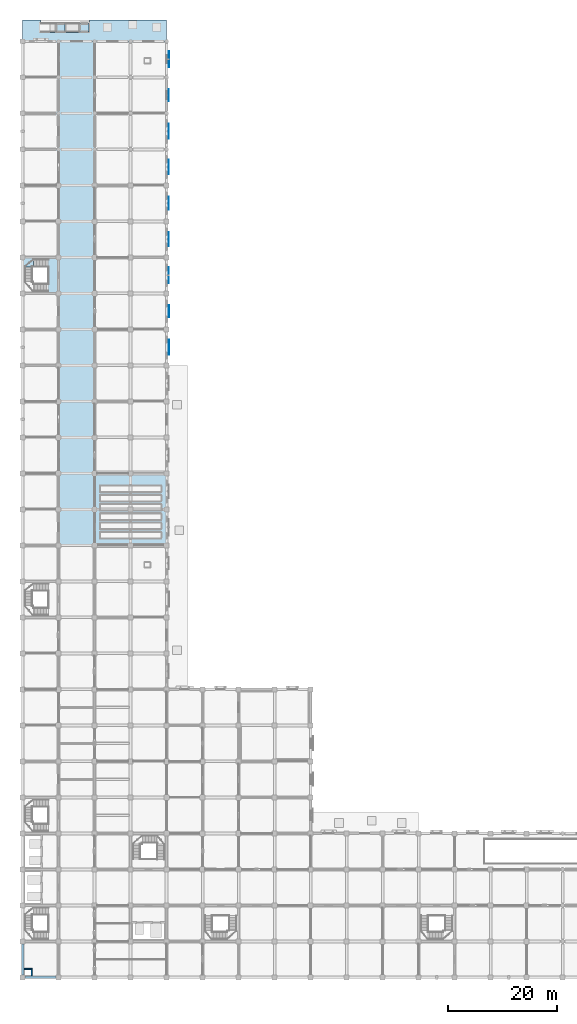
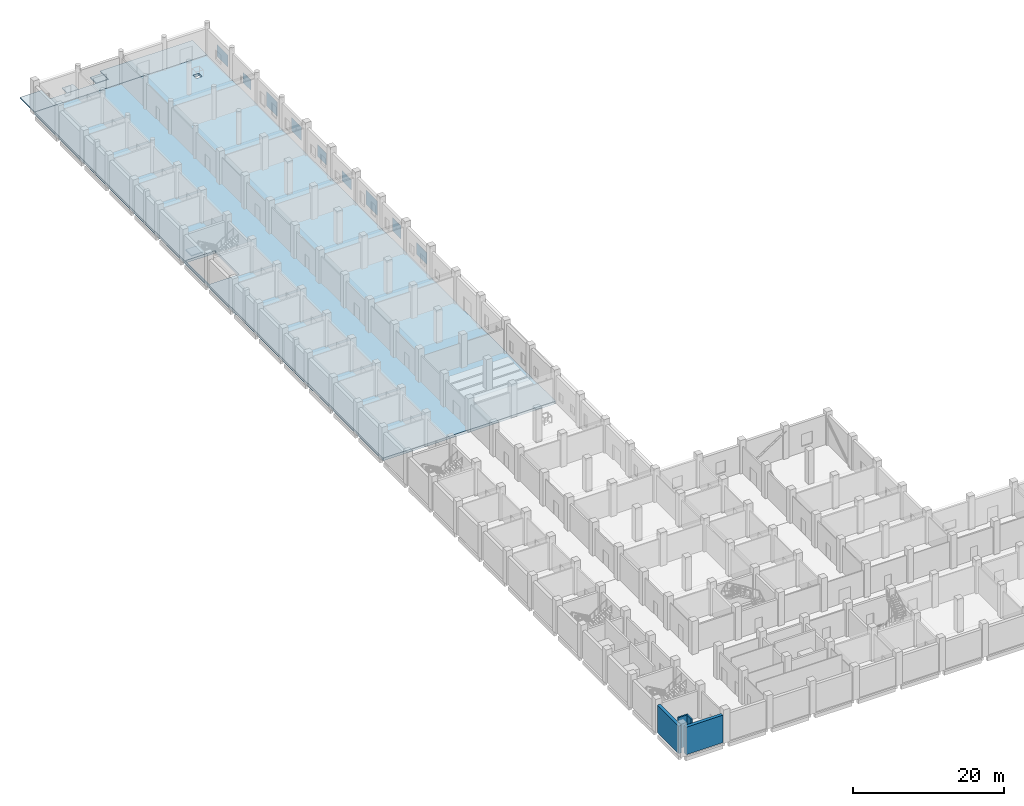
# One storey, part 7 of 28: 9 plates, 5 slabs, 4 walls, 2 elements without a shape of their own.
"""IFC4 building model written with IfcOpenShell, lengths in metres."""

from ifc_helpers import new_model, si_unit, direction, frame, frame_2d, origin, origin_2d, place, context, subcontext, project, spatial, polyline, rectangle, outline, extrude, material, layer, layer_set, type_object, element, aggregate, save


model = new_model("IFC4")

# Units and contexts
model_context = context("Model", 3, precision=1e-05, world=origin(), true_north=direction((0.0, 1.0)))
body_context = subcontext(model_context, "Body", "Model", "MODEL_VIEW")
ifc_project = project(units=[si_unit("LENGTHUNIT", "METRE"), si_unit("AREAUNIT", "SQUARE_METRE"), si_unit("VOLUMEUNIT", "CUBIC_METRE"), si_unit("PLANEANGLEUNIT", "RADIAN"), si_unit("MASSUNIT", "GRAM", prefix="KILO")], contexts=[model_context])

# Site, building, storey
site_placement = place(None, origin())
site = spatial("IfcSite", under=ifc_project, at=site_placement, CompositionType="ELEMENT")
building_placement = place(site_placement, origin())
building = spatial("IfcBuilding", under=site, at=building_placement, Name="Rusizi Kubbe Research Institute", CompositionType="ELEMENT")
storey_placement = place(building_placement, origin())
storey = spatial("IfcBuildingStorey", under=building, at=storey_placement, Name="L00", CompositionType="ELEMENT", Elevation=0.0)

# Plates
ifc_material_1 = material(Name="Perforated Architectural Bronze Screen", Category="steel")
ifc_layer_1 = layer(ifc_material_1, 0.01806640625)
ifc_layer_set_1 = layer_set([ifc_layer_1], Name="Perforated Architectural Bronze Screen")
plate_type_1 = type_object("IfcPlateType", Name="MS-01", PredefinedType="SHEET", material=ifc_layer_set_1)
plate_1_placement = place(storey_placement, frame((26.804931640625, 141.89990234375, 0.760009765625), z_axis=(0.0, 0.0, 1.0), x_axis=(0.0, 1.0, 0.0)))
element("IfcPlate", 1, at=plate_1_placement, inside=storey, type_object=plate_type_1, Name="Mashrabiya Perforated Screen MS-01-012", PredefinedType="SHEET", context=body_context, shape_type="SweptSolid", body=[
    extrude(rectangle(XDim=2.39990234375, YDim=0.01806640625, at=origin_2d()), origin(), (0.0, 0.0, 1.0), 1.89990234375),
])
ifc_material_2 = material(Name="Perforated Architectural Bronze Screen", Category="steel")
ifc_layer_2 = layer(ifc_material_2, 0.02001953125)
ifc_layer_set_2 = layer_set([ifc_layer_2], Name="Perforated Architectural Bronze Screen")
plate_type_2 = type_object("IfcPlateType", Name="MS-02", PredefinedType="SHEET", material=ifc_layer_set_2)
plate_2_placement = place(storey_placement, frame((26.797607421875, 148.550048828125, 0.760009765625), z_axis=(0.0, 0.0, 1.0), x_axis=(0.0, 1.0, 0.0)))
element("IfcPlate", 2, at=plate_2_placement, inside=storey, type_object=plate_type_2, Name="Mashrabiya Perforated Screen MS-02-013", PredefinedType="SHEET", context=body_context, shape_type="SweptSolid", body=[
    extrude(rectangle(XDim=2.60009765625, YDim=0.02001953125, at=origin_2d()), origin(), (0.0, 0.0, 1.0), 2.1201171875),
])
ifc_material_3 = material(Name="Perforated Architectural Bronze Screen", Category="steel")
ifc_layer_3 = layer(ifc_material_3, 0.02197265625)
ifc_layer_set_3 = layer_set([ifc_layer_3], Name="Perforated Architectural Bronze Screen")
plate_type_3 = type_object("IfcPlateType", Name="MS-03", PredefinedType="SHEET", material=ifc_layer_set_3)
plate_3_placement = place(storey_placement, frame((26.840087890625, 115.5, 0.760009765625), z_axis=(0.0, 0.0, 1.0), x_axis=(0.0, 1.0, 0.0)))
element("IfcPlate", 3, at=plate_3_placement, inside=storey, type_object=plate_type_3, Name="Mashrabiya Perforated Screen MS-03-008", PredefinedType="SHEET", context=body_context, shape_type="SweptSolid", body=[
    extrude(rectangle(XDim=2.800048828125, YDim=0.02197265625, at=origin_2d()), origin(), (0.0, 0.0, 1.0), 1.89990234375),
])
plate_4_placement = place(storey_placement, frame((26.7900390625, 155.10009765625, 0.759765625), z_axis=(0.0, 0.0, 1.0), x_axis=(0.0, 1.0, 0.0)))
element("IfcPlate", 4, at=plate_4_placement, inside=storey, type_object=plate_type_3, Name="Mashrabiya Perforated Screen MS-03-014", PredefinedType="SHEET", context=body_context, shape_type="SweptSolid", body=[
    extrude(rectangle(XDim=2.800048828125, YDim=0.02197265625, at=origin_2d()), origin(), (0.0, 0.0, 1.0), 2.340087890625),
])
ifc_material_4 = material(Name="Perforated Architectural Bronze Screen", Category="steel")
ifc_layer_4 = layer(ifc_material_4, 0.01611328125)
ifc_layer_set_4 = layer_set([ifc_layer_4], Name="Perforated Architectural Bronze Screen")
plate_type_4 = type_object("IfcPlateType", Name="MS-04", PredefinedType="SHEET", material=ifc_layer_set_4)
plate_5_placement = place(storey_placement, frame((26.830078125, 122.10009765625, 0.760009765625), z_axis=(0.0, 0.0, 1.0), x_axis=(0.0, 1.0, 0.0)))
element("IfcPlate", 5, at=plate_5_placement, inside=storey, type_object=plate_type_4, Name="Mashrabiya Perforated Screen MS-04-009", PredefinedType="SHEET", context=body_context, shape_type="SweptSolid", body=[
    extrude(rectangle(XDim=2.199951171875, YDim=0.01611328125, at=origin_2d()), origin(), (0.0, 0.0, 1.0), 2.1201171875),
])
plate_6_placement = place(storey_placement, frame((26.782470703125, 161.699951171875, 0.76025390625), z_axis=(0.0, 0.0, 1.0), x_axis=(0.0, 1.0, 0.0)))
element("IfcPlate", 6, at=plate_6_placement, inside=storey, type_object=plate_type_4, Name="Mashrabiya Perforated Screen MS-04-015", PredefinedType="SHEET", context=body_context, shape_type="SweptSolid", body=[
    extrude(rectangle(XDim=2.199951171875, YDim=0.01611328125, at=origin_2d()), origin(), (0.0, 0.0, 1.0), 1.679931640625),
])
ifc_material_5 = material(Name="Perforated Architectural Bronze Screen", Category="steel")
ifc_layer_5 = layer(ifc_material_5, 0.02392578125)
ifc_layer_set_5 = layer_set([ifc_layer_5], Name="Perforated Architectural Bronze Screen")
plate_type_5 = type_object("IfcPlateType", Name="MS-05", PredefinedType="SHEET", material=ifc_layer_set_5)
plate_7_placement = place(storey_placement, frame((26.820068359375, 128.699951171875, 0.759765625), z_axis=(0.0, 0.0, 1.0), x_axis=(0.0, 1.0, 0.0)))
element("IfcPlate", 7, at=plate_7_placement, inside=storey, type_object=plate_type_5, Name="Mashrabiya Perforated Screen MS-05-010", PredefinedType="SHEET", context=body_context, shape_type="SweptSolid", body=[
    extrude(rectangle(XDim=3.0, YDim=0.02392578125, at=origin_2d()), origin(), (0.0, 0.0, 1.0), 2.340087890625),
])
plate_8_placement = place(storey_placement, frame((26.840087890625, 168.300048828125, 0.760009765625), z_axis=(0.0, 0.0, 1.0), x_axis=(0.0, 1.0, 0.0)))
element("IfcPlate", 8, at=plate_8_placement, inside=storey, type_object=plate_type_5, Name="Mashrabiya Perforated Screen MS-05-016", PredefinedType="SHEET", context=body_context, shape_type="SweptSolid", body=[
    extrude(rectangle(XDim=3.0, YDim=0.02392578125, at=origin_2d()), origin(), (0.0, 0.0, 1.0), 1.89990234375),
])
ifc_material_6 = material(Name="Perforated Architectural Bronze Screen", Category="steel")
ifc_layer_6 = layer(ifc_material_6, 0.01904296875)
ifc_layer_set_6 = layer_set([ifc_layer_6], Name="Perforated Architectural Bronze Screen")
plate_type_6 = type_object("IfcPlateType", Name="MS-06", PredefinedType="SHEET", material=ifc_layer_set_6)
plate_9_placement = place(storey_placement, frame((26.8125, 135.300048828125, 0.76025390625), z_axis=(0.0, 0.0, 1.0), x_axis=(0.0, 1.0, 0.0)))
element("IfcPlate", 9, at=plate_9_placement, inside=storey, type_object=plate_type_6, Name="Mashrabiya Perforated Screen MS-06-011", PredefinedType="SHEET", context=body_context, shape_type="SweptSolid", body=[
    extrude(rectangle(XDim=2.5, YDim=0.01904296875, at=origin_2d()), origin(), (0.0, 0.0, 1.0), 1.679931640625),
])

# Slabs
ifc_material_7 = material(Name="Concrete C40/50", Category="concrete")
ifc_layer_7 = layer(ifc_material_7, 0.14990234375)
ifc_layer_set_7 = layer_set([ifc_layer_7], Name="Concrete C40/50")
slab_type_1 = type_object("IfcSlabType", Name="SL-APRON", PredefinedType="FLOOR", material=ifc_layer_set_7)
slab_1_placement = place(storey_placement, frame((0.0, 0.0, -0.14990234375)))
element("IfcSlab", 10, at=slab_1_placement, inside=storey, type_object=slab_type_1, Name="Forecourt Threshold Slab NORTH-STREET-1", PredefinedType="FLOOR", context=body_context, shape_type="SweptSolid", body=[
    extrude(outline(polyline([(26.39990234375, 175.5), (26.39990234375, 171.60009765625), (0.0, 171.60009765625), (0.0, 175.5), (3.300048828125, 175.5), (3.300048828125, 173.25), (12.25, 173.25), (12.25, 175.5), (26.39990234375, 175.5)])), origin(), (0.0, 0.0, 1.0), 0.14990234375),
])
ifc_material_8 = material(Name="Concrete C40/50", Category="concrete")
ifc_layer_8 = layer(ifc_material_8, 0.409912109375)
ifc_layer_set_8 = layer_set([ifc_layer_8], Name="Concrete C40/50")
slab_type_2 = type_object("IfcSlabType", Name="SL-F380", PredefinedType="FLOOR", material=ifc_layer_set_8)
slab_2_placement = place(storey_placement, frame((0.0, 0.0, -0.409912109375)))
element("IfcSlab", 11, at=slab_2_placement, inside=storey, type_object=slab_type_2, Name="Structural Slab L00 NORTHB", PredefinedType="FLOOR", context=body_context, shape_type="SweptSolid", body=[
    extrude(outline(polyline([(0.0, 105.60009765625), (0.0, 112.199951171875), (0.0, 118.800048828125), (0.0, 125.39990234375), (0.0, 132.0), (0.0, 138.60009765625), (0.0, 145.199951171875), (0.0, 151.800048828125), (0.0, 158.39990234375), (0.0, 165.0), (0.0, 171.60009765625), (6.60009765625, 171.60009765625), (13.199951171875, 171.60009765625), (19.800048828125, 171.60009765625), (26.39990234375, 171.60009765625), (26.39990234375, 165.0), (26.39990234375, 158.39990234375), (26.39990234375, 151.800048828125), (26.39990234375, 145.199951171875), (26.39990234375, 138.60009765625), (26.39990234375, 132.0), (26.39990234375, 125.39990234375), (26.39990234375, 118.800048828125), (26.39990234375, 112.199951171875), (26.39990234375, 105.60009765625), (26.39990234375, 99.0), (26.39990234375, 92.39990234375), (26.39990234375, 85.800048828125), (26.39990234375, 79.199951171875), (19.800048828125, 79.199951171875), (13.199951171875, 79.199951171875), (6.60009765625, 79.199951171875), (0.0, 79.199951171875), (0.0, 85.800048828125), (0.0, 92.39990234375), (0.0, 99.0), (0.0, 105.60009765625)]), holes=[polyline([(0.139892578125, 131.860107421875), (0.139892578125, 125.5400390625), (4.699951171875, 125.5400390625), (4.699951171875, 131.860107421875), (0.139892578125, 131.860107421875)]), polyline([(23.35009765625, 168.449951171875), (22.39990234375, 168.449951171875), (22.39990234375, 167.60009765625), (23.35009765625, 167.60009765625), (23.35009765625, 168.449951171875)])]), origin(), (0.0, 0.0, 1.0), 0.409912109375),
])

# Stair, slab
ifc_material_9 = material(Name="Concrete C40/50", Category="concrete")
stair_type = type_object("IfcStairType", Name="ST-H540", PredefinedType="THREE_QUARTER_TURN_STAIR", material=ifc_material_9)
stair_placement = place(storey_placement, origin())
stair = element("IfcStair", 12, at=stair_placement, inside=storey, type_object=stair_type, Name="Protected Exit Stair ST6 (L00)", PredefinedType="THREE_QUARTER_TURN_STAIR")
ifc_material_10 = material(Name="Concrete C40/50", Category="concrete")
ifc_layer_9 = layer(ifc_material_10, 0.179931640625)
ifc_layer_set_9 = layer_set([ifc_layer_9], Name="Concrete C40/50")
slab_type_3 = type_object("IfcSlabType", Name="SL-L180", PredefinedType="LANDING", material=ifc_layer_set_9)
slab_3_placement = place(storey_placement, frame((0.0, 0.0, 1.6201171875)))
slab_3 = element("IfcSlab", 13, at=slab_3_placement, type_object=slab_type_3, Name="ST6 landing 1", PredefinedType="LANDING", context=body_context, shape_type="SweptSolid", body=[
    extrude(outline(polyline([(1.986083984375, 131.860107421875), (0.139892578125, 131.860107421875), (0.139892578125, 130.25), (1.986083984375, 130.25), (1.986083984375, 131.860107421875)])), origin(), (0.0, 0.0, 1.0), 0.179931640625),
])
aggregate(stair, [slab_3])

# Ramp, slabs
ifc_material_11 = material(Name="Concrete C40/50", Category="concrete")
ramp_type = type_object("IfcRampType", Name="RP-PED", PredefinedType="TWO_STRAIGHT_RUN_RAMP", material=ifc_material_11)
ramp_placement = place(storey_placement, origin())
ramp = element("IfcRamp", 14, at=ramp_placement, inside=storey, type_object=ramp_type, Name="Accessible Ramp RAMP-NORTH-01", PredefinedType="TWO_STRAIGHT_RUN_RAMP")
ifc_material_12 = material(Name="Concrete C40/50", Category="concrete")
ifc_layer_10 = layer(ifc_material_12, 0.179931640625)
ifc_layer_set_10 = layer_set([ifc_layer_10], Name="Concrete C40/50")
slab_type_4 = type_object("IfcSlabType", Name="SL-RLAND", PredefinedType="LANDING", material=ifc_layer_set_10)
slab_4_placement = place(storey_placement, frame((0.0, 0.0, -0.389892578125)))
slab_4 = element("IfcSlab", 15, at=slab_4_placement, type_object=slab_type_4, Name="RP-01 landing 1", PredefinedType="LANDING", context=body_context, shape_type="SweptSolid", body=[
    extrude(outline(polyline([(6.10009765625, 173.300048828125), (7.780029296875, 173.300048828125), (7.780029296875, 174.89990234375), (6.10009765625, 174.89990234375), (6.10009765625, 173.300048828125)])), origin(), (0.0, 0.0, 1.0), 0.179931640625),
])
slab_5_placement = place(storey_placement, frame((0.0, 0.0, -0.179931640625)))
slab_5 = element("IfcSlab", 16, at=slab_5_placement, type_object=slab_type_4, Name="RP-01 landing 2", PredefinedType="LANDING", context=body_context, shape_type="SweptSolid", body=[
    extrude(outline(polyline([(10.39990234375, 173.300048828125), (12.199951171875, 173.300048828125), (12.199951171875, 174.89990234375), (10.39990234375, 174.89990234375), (10.39990234375, 173.300048828125)])), origin(), (0.0, 0.0, 1.0), 0.179931640625),
])
aggregate(ramp, [slab_4, slab_5])

# Walls
ifc_material_13 = material(Name="Concrete Blockwork Fire Partition", Category="masonry")
ifc_layer_11 = layer(ifc_material_13, 0.22509765625)
ifc_layer_set_11 = layer_set([ifc_layer_11], Name="Concrete Blockwork Fire Partition")
wall_type_1 = type_object("IfcWallType", Name="IW-01", PredefinedType="PARTITIONING", material=ifc_layer_set_11)
wall_1_placement = place(storey_placement, frame((1.679931640625, 0.260009765625, 0.0), z_axis=(0.0, 0.0, 1.0), x_axis=(0.0, 1.0, 0.0)))
element("IfcWall", 17, at=wall_1_placement, inside=storey, type_object=wall_type_1, Name="Riser Shaft Wall E L00", PredefinedType="PARTITIONING", context=body_context, shape_type="SweptSolid", body=[
    extrude(rectangle(XDim=1.169921875, YDim=0.22509765625, at=frame_2d((0.5849609375, 0.0))), origin(), (0.0, 0.0, 1.0), 5.050048828125),
])
wall_2_placement = place(storey_placement, frame((0.260009765625, 1.550048828125, 0.0), z_axis=(0.0, 0.0, 1.0), x_axis=(1.0, 0.0, 0.0)))
element("IfcWall", 18, at=wall_2_placement, inside=storey, type_object=wall_type_1, Name="Riser Shaft Wall N L00", PredefinedType="PARTITIONING", context=body_context, shape_type="SweptSolid", body=[
    extrude(rectangle(XDim=1.5400390625, YDim=0.22509765625, at=frame_2d((0.77001953125, 0.0))), origin(), (0.0, 0.0, 1.0), 5.050048828125),
])
ifc_material_14 = material(Name="Concrete C40/50", Category="concrete")
ifc_layer_12 = layer(ifc_material_14, 0.47998046875)
ifc_layer_set_12 = layer_set([ifc_layer_12], Name="Concrete C40/50")
wall_type_2 = type_object("IfcWallType", Name="PW-01", PredefinedType="SOLIDWALL", material=ifc_layer_set_12)
for number, where, z_axis, x_axis, name in (
    (19, (0.47509765625, 0.0, 0.0), (0.0, 0.0, 1.0), (1.0, 0.0, 0.0), "Blind Party Wall L00 H0-0"),
    (20, (0.0, 0.47509765625, 0.0), (0.0, 0.0, 1.0), (0.0, 1.0, 0.0), "Blind Party Wall L00 V0-0"),
):
    element("IfcWall", number, at=place(storey_placement, frame(where, z_axis=z_axis, x_axis=x_axis)), inside=storey, type_object=wall_type_2, Name=name, PredefinedType="SOLIDWALL", context=body_context, shape_type="SweptSolid", body=[
        extrude(rectangle(XDim=5.64990234375, YDim=0.47998046875, at=frame_2d((2.824951171875, 0.0))), origin(), (0.0, 0.0, 1.0), 4.449951171875),
    ])

save(model, "model.ifc")
